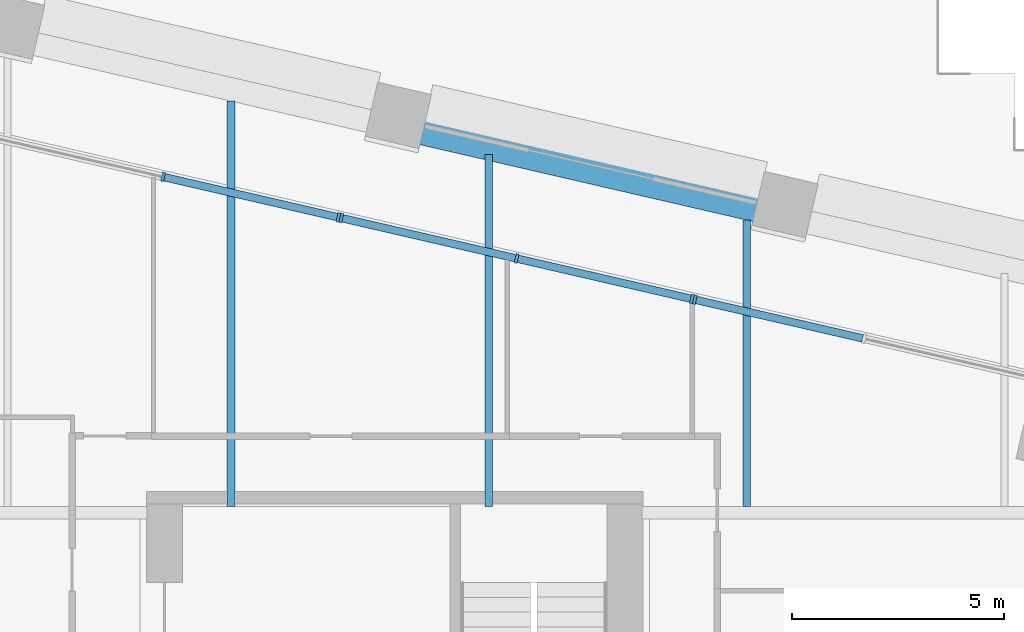
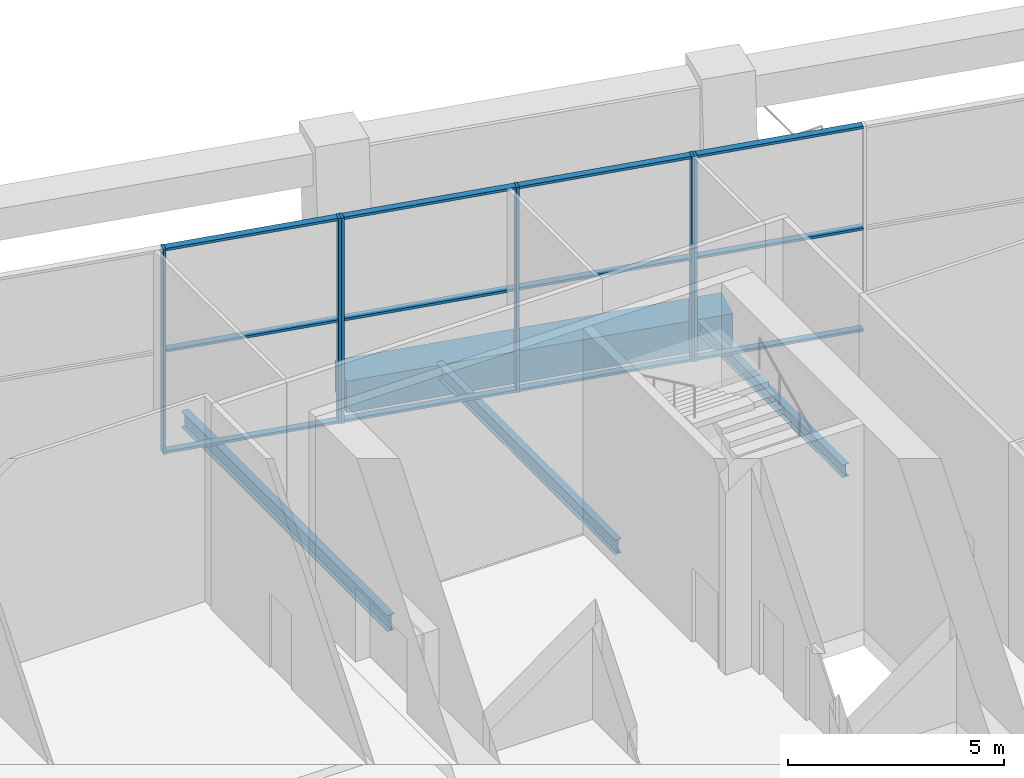
# One storey, part 8 of 23: 18 members, 4 beams, 3 elements without a shape of their own.
"""IFC4 building model written with IfcOpenShell, lengths in metres."""

from ifc_helpers import new_model, si_unit, direction, frame, origin, origin_2d, place, context, subcontext, project, spatial, rectangle, i_section, extrude, material, material_profile, profile_set, type_object, element, aggregate, save


model = new_model("IFC4")

# Units and contexts
model_context = context("Model", 3, precision=1e-05, world=origin(), true_north=direction((0.0, 1.0)))
body_context = subcontext(model_context, "Body", "Model", "MODEL_VIEW")
ifc_project = project(units=[si_unit("LENGTHUNIT", "METRE"), si_unit("AREAUNIT", "SQUARE_METRE"), si_unit("VOLUMEUNIT", "CUBIC_METRE"), si_unit("PLANEANGLEUNIT", "RADIAN"), si_unit("MASSUNIT", "GRAM", prefix="KILO")], contexts=[model_context])

# Site, building, storey
site_placement = place(None, origin())
site = spatial("IfcSite", under=ifc_project, at=site_placement, CompositionType="ELEMENT")
building_placement = place(site_placement, origin())
building = spatial("IfcBuilding", under=site, at=building_placement, Name="Ogive Exchange Tower", CompositionType="ELEMENT")
storey_placement = place(building_placement, frame((0.0, 0.0, 99.60009765625)))
storey = spatial("IfcBuildingStorey", under=building, at=storey_placement, Name="L21", CompositionType="ELEMENT", Elevation=99.60009765625)

# Beams
ifc_material_1 = material(Name="Steel ASTM A992 Gr50", Category="steel")
ifc_material_profile_1 = material_profile(ifc_material_1, i_section(OverallWidth=0.1708984375, OverallDepth=0.35595703125, WebThickness=0.00732421875, FlangeThickness=0.01171875, at=origin_2d()), Name="W360x51")
ifc_profile_set_1 = profile_set([ifc_material_profile_1], Name="Steel ASTM A992 Gr50")
beam_type_1 = type_object("IfcBeamType", Name="Floor beam W360x51", PredefinedType="JOIST", material=ifc_profile_set_1)
beam_1_placement = place(storey_placement, frame((24.29345703125, 25.39111328125, -0.628173828125), z_axis=(0.0, 1.0, 0.0), x_axis=(-1.0, 0.0, 0.0)))
element("IfcBeam", 1, at=beam_1_placement, inside=storey, type_object=beam_type_1, Name="Floor beam", PredefinedType="JOIST", context=body_context, shape_type="SweptSolid", body=[
    extrude(i_section(OverallWidth=0.1708984375, OverallDepth=0.35595703125, WebThickness=0.00732421875, FlangeThickness=0.01171875, at=origin_2d()), origin(), (0.0, 0.0, 1.0), 6.751220703125),
])
ifc_material_profile_2 = material_profile(ifc_material_1, i_section(OverallWidth=0.177978515625, OverallDepth=0.406005859375, WebThickness=0.0078125, FlangeThickness=0.0126953125, at=origin_2d()), Name="W410x60")
ifc_profile_set_2 = profile_set([ifc_material_profile_2], Name="Steel ASTM A992 Gr50")
beam_type_2 = type_object("IfcBeamType", Name="Floor beam W410x60", PredefinedType="JOIST", material=ifc_profile_set_2)
beam_2_placement = place(storey_placement, frame((18.22021484375, 25.39990234375, -0.653076171875), z_axis=(0.0, 1.0, 0.0), x_axis=(-1.0, 0.0, 0.0)))
element("IfcBeam", 2, at=beam_2_placement, inside=storey, type_object=beam_type_2, Name="Floor beam", PredefinedType="JOIST", context=body_context, shape_type="SweptSolid", body=[
    extrude(i_section(OverallWidth=0.177978515625, OverallDepth=0.406005859375, WebThickness=0.0078125, FlangeThickness=0.0126953125, at=origin_2d()), origin(), (0.0, 0.0, 1.0), 8.294677734375),
])
ifc_material_profile_3 = material_profile(ifc_material_1, i_section(OverallWidth=0.19091796875, OverallDepth=0.45703125, WebThickness=0.009033203125, FlangeThickness=0.014404296875, at=origin_2d()), Name="W460x74")
ifc_profile_set_3 = profile_set([ifc_material_profile_3], Name="Steel ASTM A992 Gr50")
beam_type_3 = type_object("IfcBeamType", Name="Floor beam W460x74", PredefinedType="JOIST", material=ifc_profile_set_3)
beam_3_placement = place(storey_placement, frame((12.146728515625, 25.39990234375, -0.6787109375), z_axis=(0.0, 1.0, 0.0), x_axis=(-1.0, 0.0, 0.0)))
element("IfcBeam", 3, at=beam_3_placement, inside=storey, type_object=beam_type_3, Name="Floor beam", PredefinedType="JOIST", context=body_context, shape_type="SweptSolid", body=[
    extrude(i_section(OverallWidth=0.19091796875, OverallDepth=0.45703125, WebThickness=0.009033203125, FlangeThickness=0.014404296875, at=origin_2d()), origin(), (0.0, 0.0, 1.0), 9.546875),
])
ifc_material_2 = material(Name="Precast concrete C70/85 (limestone faced)", Category="masonry")
ifc_material_profile_4 = material_profile(ifc_material_2, rectangle(XDim=0.89990234375, YDim=0.89990234375, at=origin_2d()), Name="900 x 900")
ifc_profile_set_4 = profile_set([ifc_material_profile_4], Name="Precast concrete C70/85 (limestone faced)")
beam_type_4 = type_object("IfcBeamType", Name="Precast transfer girder 900 x 900 C70/85", PredefinedType="BEAM", material=ifc_profile_set_4)
beam_4_placement = place(storey_placement, frame((25.171630859375, 32.401611328125, -0.900146484375), z_axis=(-0.974376230775, 0.224924344836, 0.0), x_axis=(-0.224924344836, -0.974376230775, 0.0)))
element("IfcBeam", 4, at=beam_4_placement, inside=storey, type_object=beam_type_4, Name="Transfer girder 19", PredefinedType="BEAM", context=body_context, shape_type="SweptSolid", body=[
    extrude(rectangle(XDim=0.89990234375, YDim=0.89990234375, at=origin_2d()), origin(), (0.0, 0.0, 1.0), 9.349853515625),
])

# Curtain wall, member
ifc_material_3 = material(Name="Anodised aluminium and clear glass", Category="aluminium")
curtain_wall_type = type_object("IfcCurtainWallType", Name="Sky lobby glazing", PredefinedType="NOTDEFINED", material=ifc_material_3)
curtain_wall_1_placement = place(storey_placement, origin())
curtain_wall_1 = element("IfcCurtainWall", 5, at=curtain_wall_1_placement, inside=storey, type_object=curtain_wall_type, Name="Sky lobby glazing run G14", PredefinedType="NOTDEFINED")
ifc_material_4 = material(Name="Anodised aluminium", Category="aluminium")
ifc_material_profile_5 = material_profile(ifc_material_4, rectangle(XDim=0.219970703125, YDim=0.070068359375, at=origin_2d()), Name="AL 70x220")
ifc_profile_set_5 = profile_set([ifc_material_profile_5], Name="Anodised aluminium")
member_type_1 = type_object("IfcMemberType", Name="Sky lobby glazing mullion 70 x 220", PredefinedType="MULLION", material=ifc_profile_set_5)
member_1_placement = place(storey_placement, frame((23.0732421875, 30.268798828125, 0.0), z_axis=(0.0, 0.0, 1.0), x_axis=(-0.224947146898, -0.974370966882, 0.0)))
member_1 = element("IfcMember", 6, at=member_1_placement, type_object=member_type_1, Name="G14 mullion 3", PredefinedType="MULLION", context=body_context, shape_type="SweptSolid", body=[
    extrude(rectangle(XDim=0.219970703125, YDim=0.070068359375, at=origin_2d()), origin(), (0.0, 0.0, 1.0), 5.7998046875),
])

# Curtain wall, members
curtain_wall_2_placement = place(storey_placement, origin())
curtain_wall_2 = element("IfcCurtainWall", 7, at=curtain_wall_2_placement, inside=storey, type_object=curtain_wall_type, Name="Sky lobby glazing run G15", PredefinedType="NOTDEFINED")
member_2_placement = place(storey_placement, frame((23.0048828125, 30.28466796875, 0.0), z_axis=(0.0, 0.0, 1.0), x_axis=(-0.224957737445, -0.974368521846, 0.0)))
member_2 = element("IfcMember", 8, at=member_2_placement, type_object=member_type_1, Name="G15 mullion 1", PredefinedType="MULLION", context=body_context, shape_type="SweptSolid", body=[
    extrude(rectangle(XDim=0.219970703125, YDim=0.070068359375, at=origin_2d()), origin(), (0.0, 0.0, 1.0), 5.7998046875),
])
member_3_placement = place(storey_placement, frame((18.87353515625, 31.23828125, 0.0), z_axis=(0.0, 0.0, 1.0), x_axis=(-0.224957737445, -0.974368521846, 0.0)))
member_3 = element("IfcMember", 9, at=member_3_placement, type_object=member_type_1, Name="G15 mullion 2", PredefinedType="MULLION", context=body_context, shape_type="SweptSolid", body=[
    extrude(rectangle(XDim=0.219970703125, YDim=0.070068359375, at=origin_2d()), origin(), (0.0, 0.0, 1.0), 5.7998046875),
])
member_4_placement = place(storey_placement, frame((14.7421875, 32.192138671875, 0.0), z_axis=(0.0, 0.0, 1.0), x_axis=(-0.224957737445, -0.974368521846, 0.0)))
member_4 = element("IfcMember", 10, at=member_4_placement, type_object=member_type_1, Name="G15 mullion 3", PredefinedType="MULLION", context=body_context, shape_type="SweptSolid", body=[
    extrude(rectangle(XDim=0.219970703125, YDim=0.070068359375, at=origin_2d()), origin(), (0.0, 0.0, 1.0), 5.7998046875),
])

curtain_wall_3_placement = place(storey_placement, origin())
curtain_wall_3 = element("IfcCurtainWall", 11, at=curtain_wall_3_placement, inside=storey, type_object=curtain_wall_type, Name="Sky lobby glazing run G16", PredefinedType="NOTDEFINED")
member_5_placement = place(storey_placement, frame((14.674072265625, 32.2080078125, 0.0), z_axis=(0.0, 0.0, 1.0), x_axis=(-0.224949196986, -0.974370493588, 0.0)))
member_5 = element("IfcMember", 12, at=member_5_placement, type_object=member_type_1, Name="G16 mullion 1", PredefinedType="MULLION", context=body_context, shape_type="SweptSolid", body=[
    extrude(rectangle(XDim=0.219970703125, YDim=0.070068359375, at=origin_2d()), origin(), (0.0, 0.0, 1.0), 5.7998046875),
])
member_6_placement = place(storey_placement, frame((10.542724609375, 33.161865234375, 0.0), z_axis=(0.0, 0.0, 1.0), x_axis=(-0.224949196986, -0.974370493588, 0.0)))
member_6 = element("IfcMember", 13, at=member_6_placement, type_object=member_type_1, Name="G16 mullion 2", PredefinedType="MULLION", context=body_context, shape_type="SweptSolid", body=[
    extrude(rectangle(XDim=0.219970703125, YDim=0.070068359375, at=origin_2d()), origin(), (0.0, 0.0, 1.0), 5.7998046875),
])

# Member
ifc_material_profile_6 = material_profile(ifc_material_4, rectangle(XDim=0.179931640625, YDim=0.070068359375, at=origin_2d()), Name="AL 70x180")
ifc_profile_set_6 = profile_set([ifc_material_profile_6], Name="Anodised aluminium")
member_type_2 = type_object("IfcMemberType", Name="Sky lobby glazing transom 70 x 180", PredefinedType="USERDEFINED", material=ifc_profile_set_6)
member_7_placement = place(storey_placement, frame((27.024169921875, 29.356689453125, 0.034912109375), z_axis=(-0.974367647107, 0.224961526204, 0.0), x_axis=(-0.224961526204, -0.974367647107, 0.0)))
member_7 = element("IfcMember", 14, at=member_7_placement, type_object=member_type_2, Name="G14 transom 2.1", ObjectType="TRANSOM", PredefinedType="USERDEFINED", context=body_context, shape_type="SweptSolid", body=[
    extrude(rectangle(XDim=0.179931640625, YDim=0.070068359375, at=origin_2d()), origin(), (0.0, 0.0, 1.0), 4.019775390625),
])

member_8_placement = place(storey_placement, frame((27.024169921875, 29.356689453125, 2.89990234375), z_axis=(-0.974367647107, 0.224961526204, 0.0), x_axis=(-0.224961526204, -0.974367647107, 0.0)))
member_8 = element("IfcMember", 15, at=member_8_placement, type_object=member_type_2, Name="G14 transom 2.2", ObjectType="TRANSOM", PredefinedType="USERDEFINED", context=body_context, shape_type="SweptSolid", body=[
    extrude(rectangle(XDim=0.179931640625, YDim=0.070068359375, at=origin_2d()), origin(), (0.0, 0.0, 1.0), 4.019775390625),
])

member_9_placement = place(storey_placement, frame((27.024169921875, 29.356689453125, 5.764892578125), z_axis=(-0.974367647107, 0.224961526204, 0.0), x_axis=(-0.224961526204, -0.974367647107, 0.0)))
member_9 = element("IfcMember", 16, at=member_9_placement, type_object=member_type_2, Name="G14 transom 2.3", ObjectType="TRANSOM", PredefinedType="USERDEFINED", context=body_context, shape_type="SweptSolid", body=[
    extrude(rectangle(XDim=0.179931640625, YDim=0.070068359375, at=origin_2d()), origin(), (0.0, 0.0, 1.0), 4.019775390625),
])

aggregate(curtain_wall_1, [member_1, member_7, member_8, member_9])

member_10_placement = place(storey_placement, frame((22.970947265625, 30.29248046875, 0.034912109375), z_axis=(-0.974374418682, 0.224932194711, 0.0), x_axis=(-0.224932194711, -0.974374418682, 0.0)))
member_10 = element("IfcMember", 17, at=member_10_placement, type_object=member_type_2, Name="G15 transom 1.1", ObjectType="TRANSOM", PredefinedType="USERDEFINED", context=body_context, shape_type="SweptSolid", body=[
    extrude(rectangle(XDim=0.179931640625, YDim=0.070068359375, at=origin_2d()), origin(), (0.0, 0.0, 1.0), 4.170166015625),
])

member_11_placement = place(storey_placement, frame((22.970947265625, 30.29248046875, 2.89990234375), z_axis=(-0.974374418682, 0.224932194711, 0.0), x_axis=(-0.224932194711, -0.974374418682, 0.0)))
member_11 = element("IfcMember", 18, at=member_11_placement, type_object=member_type_2, Name="G15 transom 1.2", ObjectType="TRANSOM", PredefinedType="USERDEFINED", context=body_context, shape_type="SweptSolid", body=[
    extrude(rectangle(XDim=0.179931640625, YDim=0.070068359375, at=origin_2d()), origin(), (0.0, 0.0, 1.0), 4.170166015625),
])

member_12_placement = place(storey_placement, frame((22.970947265625, 30.29248046875, 5.764892578125), z_axis=(-0.974374418682, 0.224932194711, 0.0), x_axis=(-0.224932194711, -0.974374418682, 0.0)))
member_12 = element("IfcMember", 19, at=member_12_placement, type_object=member_type_2, Name="G15 transom 1.3", ObjectType="TRANSOM", PredefinedType="USERDEFINED", context=body_context, shape_type="SweptSolid", body=[
    extrude(rectangle(XDim=0.179931640625, YDim=0.070068359375, at=origin_2d()), origin(), (0.0, 0.0, 1.0), 4.170166015625),
])

member_13_placement = place(storey_placement, frame((18.839599609375, 31.246337890625, 0.034912109375), z_axis=(-0.974374418682, 0.224932194711, 0.0), x_axis=(-0.224932194711, -0.974374418682, 0.0)))
member_13 = element("IfcMember", 20, at=member_13_placement, type_object=member_type_2, Name="G15 transom 2.1", ObjectType="TRANSOM", PredefinedType="USERDEFINED", context=body_context, shape_type="SweptSolid", body=[
    extrude(rectangle(XDim=0.179931640625, YDim=0.070068359375, at=origin_2d()), origin(), (0.0, 0.0, 1.0), 4.170166015625),
])

member_14_placement = place(storey_placement, frame((18.839599609375, 31.246337890625, 2.89990234375), z_axis=(-0.974374418682, 0.224932194711, 0.0), x_axis=(-0.224932194711, -0.974374418682, 0.0)))
member_14 = element("IfcMember", 21, at=member_14_placement, type_object=member_type_2, Name="G15 transom 2.2", ObjectType="TRANSOM", PredefinedType="USERDEFINED", context=body_context, shape_type="SweptSolid", body=[
    extrude(rectangle(XDim=0.179931640625, YDim=0.070068359375, at=origin_2d()), origin(), (0.0, 0.0, 1.0), 4.170166015625),
])

member_15_placement = place(storey_placement, frame((18.839599609375, 31.246337890625, 5.764892578125), z_axis=(-0.974374418682, 0.224932194711, 0.0), x_axis=(-0.224932194711, -0.974374418682, 0.0)))
member_15 = element("IfcMember", 22, at=member_15_placement, type_object=member_type_2, Name="G15 transom 2.3", ObjectType="TRANSOM", PredefinedType="USERDEFINED", context=body_context, shape_type="SweptSolid", body=[
    extrude(rectangle(XDim=0.179931640625, YDim=0.070068359375, at=origin_2d()), origin(), (0.0, 0.0, 1.0), 4.170166015625),
])

aggregate(curtain_wall_2, [member_2, member_3, member_4, member_10, member_11, member_12, member_13, member_14, member_15])

member_16_placement = place(storey_placement, frame((14.639892578125, 32.2158203125, 0.034912109375), z_axis=(-0.974371456344, 0.224945026756, 0.0), x_axis=(-0.224945026756, -0.974371456344, 0.0)))
member_16 = element("IfcMember", 23, at=member_16_placement, type_object=member_type_2, Name="G16 transom 1.1", ObjectType="TRANSOM", PredefinedType="USERDEFINED", context=body_context, shape_type="SweptSolid", body=[
    extrude(rectangle(XDim=0.179931640625, YDim=0.070068359375, at=origin_2d()), origin(), (0.0, 0.0, 1.0), 4.169921875),
])

member_17_placement = place(storey_placement, frame((14.639892578125, 32.2158203125, 2.89990234375), z_axis=(-0.974371456344, 0.224945026756, 0.0), x_axis=(-0.224945026756, -0.974371456344, 0.0)))
member_17 = element("IfcMember", 24, at=member_17_placement, type_object=member_type_2, Name="G16 transom 1.2", ObjectType="TRANSOM", PredefinedType="USERDEFINED", context=body_context, shape_type="SweptSolid", body=[
    extrude(rectangle(XDim=0.179931640625, YDim=0.070068359375, at=origin_2d()), origin(), (0.0, 0.0, 1.0), 4.169921875),
])

member_18_placement = place(storey_placement, frame((14.639892578125, 32.2158203125, 5.764892578125), z_axis=(-0.974371456344, 0.224945026756, 0.0), x_axis=(-0.224945026756, -0.974371456344, 0.0)))
member_18 = element("IfcMember", 25, at=member_18_placement, type_object=member_type_2, Name="G16 transom 1.3", ObjectType="TRANSOM", PredefinedType="USERDEFINED", context=body_context, shape_type="SweptSolid", body=[
    extrude(rectangle(XDim=0.179931640625, YDim=0.070068359375, at=origin_2d()), origin(), (0.0, 0.0, 1.0), 4.169921875),
])

aggregate(curtain_wall_3, [member_5, member_6, member_16, member_17, member_18])

save(model, "model.ifc")
